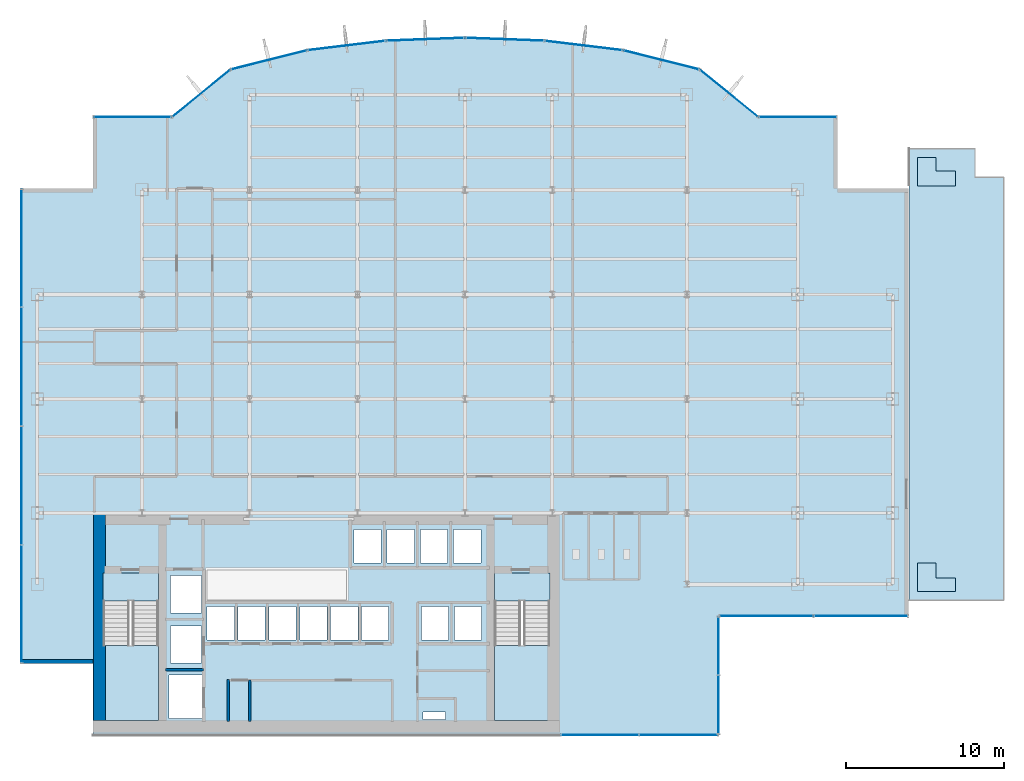
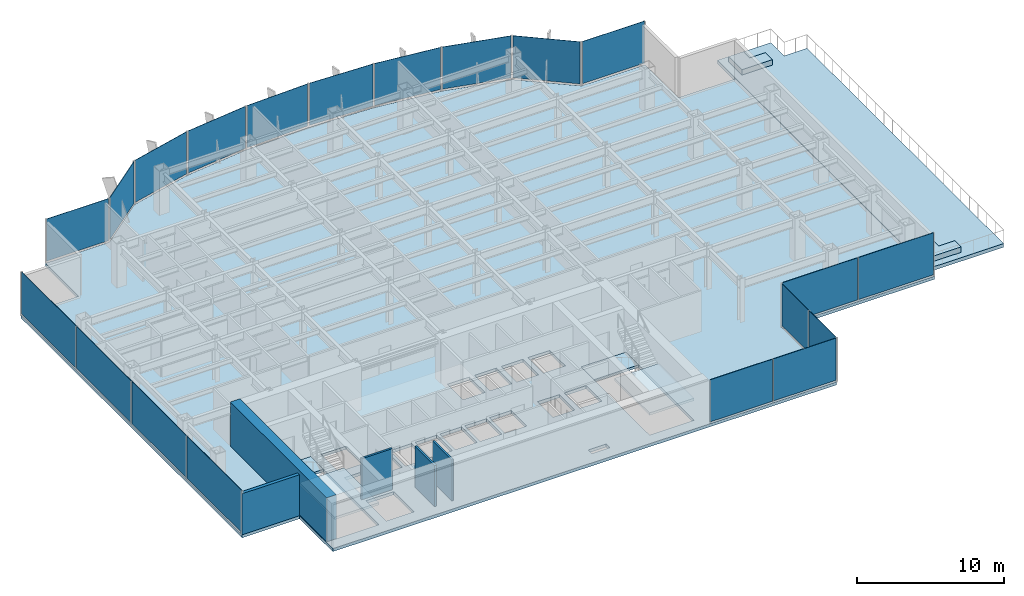
# One storey, part 19 of 25: 20 plates, 8 slabs, 5 walls, 16 elements without a shape of their own.
"""IFC4 building model written with IfcOpenShell, lengths in metres."""

from ifc_helpers import new_model, si_unit, derived_unit, direction, frame, frame_2d, origin, origin_2d, place, context, subcontext, project, spatial, polyline, rectangle, outline, extrude, source, transform, mapped, material, layer, layer_set, type_object, element, aggregate, save


model = new_model("IFC4")

# Units and contexts
model_context = context("Model", 3, precision=1e-05, world=origin(), true_north=direction((0.0, 1.0)))
body_context = subcontext(model_context, "Body", "Model", "MODEL_VIEW")
ifc_project = project(units=[si_unit("LENGTHUNIT", "METRE"), si_unit("AREAUNIT", "SQUARE_METRE"), si_unit("VOLUMEUNIT", "CUBIC_METRE"), si_unit("PLANEANGLEUNIT", "RADIAN"), si_unit("MASSUNIT", "GRAM", prefix="KILO"), derived_unit("THERMALTRANSMITTANCEUNIT", [(si_unit("POWERUNIT", "WATT"), 1), (si_unit("LENGTHUNIT", "METRE"), -2), (si_unit("THERMODYNAMICTEMPERATUREUNIT", "KELVIN"), -1)])], contexts=[model_context])

# Site, building, storey
site_placement = place(None, origin())
site = spatial("IfcSite", under=ifc_project, at=site_placement, CompositionType="ELEMENT")
building_placement = place(site_placement, origin())
building = spatial("IfcBuilding", under=site, at=building_placement, Name="Skarnbrae Concourse Arena and Tower", CompositionType="ELEMENT")
storey_placement = place(building_placement, frame((0.0, 0.0, 88.64990234375)))
storey = spatial("IfcBuildingStorey", under=building, at=storey_placement, Name="L21", CompositionType="ELEMENT", Elevation=88.64990234375)

# Stair, slab
ifc_material_1 = material(Name="Concrete 40 MPa (C40/50)", Category="concrete")
stair_type = type_object("IfcStairType", Name="STAIR-DOGLEG-1650", PredefinedType="HALF_TURN_STAIR", material=ifc_material_1)
stair_1_placement = place(storey_placement, origin())
stair_1 = element("IfcStair", 1, at=stair_1_placement, inside=storey, type_object=stair_type, Name="L21 Protected Exit Stair ST-1", PredefinedType="HALF_TURN_STAIR")
ifc_layer_1 = layer(ifc_material_1, 0.199951171875)
ifc_layer_set_1 = layer_set([ifc_layer_1], Name="Concrete 40 MPa (C40/50)")
slab_type_1 = type_object("IfcSlabType", Name="SLAB-LANDING-200", PredefinedType="LANDING", material=ifc_layer_set_1)
slab_1_placement = place(storey_placement, frame((0.0, 0.0, 1.625)))
slab_1 = element("IfcSlab", 2, at=slab_1_placement, type_object=slab_type_1, Name="ST-1 landing 1", PredefinedType="LANDING", context=body_context, shape_type="SweptSolid", body=[
    extrude(outline(polyline([(5.14990234375, 5.64990234375), (5.14990234375, 0.89990234375), (8.64990234375, 0.89990234375), (8.64990234375, 5.64990234375), (5.14990234375, 5.64990234375)])), origin(), (0.0, 0.0, 1.0), 0.2001953125),
])
aggregate(stair_1, [slab_1])

stair_2_placement = place(storey_placement, origin())
stair_2 = element("IfcStair", 3, at=stair_2_placement, inside=storey, type_object=stair_type, Name="L21 Protected Exit Stair ST-2", PredefinedType="HALF_TURN_STAIR")
slab_2_placement = place(storey_placement, frame((0.0, 0.0, 1.625)))
slab_2 = element("IfcSlab", 4, at=slab_2_placement, type_object=slab_type_1, Name="ST-2 landing 1", PredefinedType="LANDING", context=body_context, shape_type="SweptSolid", body=[
    extrude(outline(polyline([(29.85009765625, 5.64990234375), (29.85009765625, 0.89990234375), (33.35009765625, 0.89990234375), (33.35009765625, 5.64990234375), (29.85009765625, 5.64990234375)])), origin(), (0.0, 0.0, 1.0), 0.2001953125),
])
aggregate(stair_2, [slab_2])

# Slabs
slab_3_placement = place(storey_placement, frame((0.0, 0.0, -0.199951171875)))
element("IfcSlab", 5, at=slab_3_placement, inside=storey, type_object=slab_type_1, Name="L21 Core stair ST1 floor landing", PredefinedType="LANDING", context=body_context, shape_type="SweptSolid", body=[
    extrude(outline(polyline([(5.14990234375, 10.199951171875), (5.14990234375, 8.449951171875), (8.64990234375, 8.449951171875), (8.64990234375, 10.199951171875), (5.14990234375, 10.199951171875)])), origin(), (0.0, 0.0, 1.0), 0.199951171875),
])
slab_4_placement = place(storey_placement, frame((0.0, 0.0, -0.199951171875)))
element("IfcSlab", 6, at=slab_4_placement, inside=storey, type_object=slab_type_1, Name="L21 Core stair ST2 floor landing", PredefinedType="LANDING", context=body_context, shape_type="SweptSolid", body=[
    extrude(outline(polyline([(29.85009765625, 10.199951171875), (29.85009765625, 8.449951171875), (33.35009765625, 8.449951171875), (33.35009765625, 10.199951171875), (29.85009765625, 10.199951171875)])), origin(), (0.0, 0.0, 1.0), 0.199951171875),
])
ifc_layer_2 = layer(ifc_material_1, 0.449951171875)
ifc_layer_set_2 = layer_set([ifc_layer_2], Name="Concrete 40 MPa (C40/50)")
slab_type_2 = type_object("IfcSlabType", Name="SLAB-PLANTER-450", PredefinedType="USERDEFINED", material=ifc_layer_set_2)
slab_5_placement = place(storey_placement, origin())
element("IfcSlab", 7, at=slab_5_placement, inside=storey, type_object=slab_type_2, Name="L21 Setback terrace L-shaped planter bed 01", ObjectType="PLANTER", PredefinedType="USERDEFINED", context=body_context, shape_type="SweptSolid", body=[
    extrude(outline(polyline([(56.570068359375, 9.050048828125), (58.969970703125, 9.050048828125), (58.969970703125, 9.89990234375), (57.719970703125, 9.89990234375), (57.719970703125, 10.85009765625), (56.570068359375, 10.85009765625), (56.570068359375, 9.050048828125)])), origin(), (0.0, 0.0, 1.0), 0.4501953125),
])
slab_6_placement = place(storey_placement, origin())
element("IfcSlab", 8, at=slab_6_placement, inside=storey, type_object=slab_type_2, Name="L21 Setback terrace L-shaped planter bed 02", ObjectType="PLANTER", PredefinedType="USERDEFINED", context=body_context, shape_type="SweptSolid", body=[
    extrude(outline(polyline([(56.570068359375, 34.64990234375), (58.969970703125, 34.64990234375), (58.969970703125, 35.60009765625), (57.719970703125, 35.60009765625), (57.719970703125, 36.449951171875), (56.570068359375, 36.449951171875), (56.570068359375, 34.64990234375)])), origin(), (0.0, 0.0, 1.0), 0.4501953125),
])
ifc_layer_3 = layer(ifc_material_1, 0.300048828125)
ifc_layer_set_3 = layer_set([ifc_layer_3], Name="Concrete 40 MPa (C40/50)")
slab_type_3 = type_object("IfcSlabType", Name="SLAB-TERRACE-300", PredefinedType="FLOOR", material=ifc_layer_set_3)
slab_7_placement = place(storey_placement, frame((0.0, 0.0, -0.2998046875)))
element("IfcSlab", 9, at=slab_7_placement, inside=storey, type_object=slab_type_3, Name="L21 Outdoor asymmetric setback terrace slab", PredefinedType="FLOOR", context=body_context, shape_type="SweptSolid", body=[
    extrude(outline(polyline([(56.02001953125, 8.5), (62.0, 8.5), (62.0, 35.199951171875), (60.199951171875, 35.199951171875), (60.199951171875, 37.0), (56.02001953125, 37.0), (56.02001953125, 8.5)])), origin(), (0.0, 0.0, 1.0), 0.2998046875),
])
ifc_layer_4 = layer(ifc_material_1, 0.25)
ifc_layer_set_4 = layer_set([ifc_layer_4], Name="Concrete 40 MPa (C40/50)")
slab_type_4 = type_object("IfcSlabType", Name="SLAB-TOWER-250", PredefinedType="FLOOR", material=ifc_layer_set_4)
slab_8_placement = place(storey_placement, frame((0.0, 0.0, -0.25)))
element("IfcSlab", 10, at=slab_8_placement, inside=storey, type_object=slab_type_4, Name="L21 Structural floor slab", PredefinedType="FLOOR", context=body_context, shape_type="SweptSolid", body=[
    extrude(outline(polyline([(4.5, 0.0), (44.0, 0.0), (44.0, 7.5), (56.0, 7.5), (56.0, 34.5), (51.5, 34.5), (51.5, 39.0), (46.5, 39.0), (42.81103515625, 41.99609375), (37.964111328125, 43.212890625), (32.998779296875, 43.81396484375), (28.0, 44.0), (23.001220703125, 43.81396484375), (18.035888671875, 43.212890625), (13.18896484375, 41.99609375), (9.5, 39.0), (4.5, 39.0), (4.5, 34.5), (0.0, 34.5), (0.0, 4.5), (4.5, 4.5), (4.5, 0.0)]), holes=[polyline([(9.294921875, 3.780029296875), (11.455078125, 3.780029296875), (11.455078125, 1.02001953125), (9.294921875, 1.02001953125), (9.294921875, 3.780029296875)]), polyline([(8.64990234375, 10.199951171875), (8.64990234375, 0.89990234375), (5.14990234375, 0.89990234375), (5.14990234375, 10.199951171875), (8.64990234375, 10.199951171875)]), polyline([(9.39501953125, 6.8798828125), (11.35498046875, 6.8798828125), (11.35498046875, 4.52001953125), (9.39501953125, 4.52001953125), (9.39501953125, 6.8798828125)]), polyline([(11.719970703125, 8.10498046875), (13.429931640625, 8.10498046875), (13.429931640625, 5.9951171875), (11.719970703125, 5.9951171875), (11.719970703125, 8.10498046875)]), polyline([(13.669921875, 8.10498046875), (15.3798828125, 8.10498046875), (15.3798828125, 5.9951171875), (13.669921875, 5.9951171875), (13.669921875, 8.10498046875)]), polyline([(15.6201171875, 8.10498046875), (17.330078125, 8.10498046875), (17.330078125, 5.9951171875), (15.6201171875, 5.9951171875), (15.6201171875, 8.10498046875)]), polyline([(17.570068359375, 8.10498046875), (19.280029296875, 8.10498046875), (19.280029296875, 5.9951171875), (17.570068359375, 5.9951171875), (17.570068359375, 8.10498046875)]), polyline([(21.22998046875, 8.10498046875), (21.22998046875, 5.9951171875), (19.52001953125, 5.9951171875), (19.52001953125, 8.10498046875), (21.22998046875, 8.10498046875)]), polyline([(11.35498046875, 10.054931640625), (11.35498046875, 7.695068359375), (9.39501953125, 7.695068359375), (9.39501953125, 10.054931640625), (11.35498046875, 10.054931640625)]), polyline([(25.35009765625, 1.449951171875), (26.760009765625, 1.449951171875), (26.760009765625, 0.949951171875), (25.35009765625, 0.949951171875), (25.35009765625, 1.449951171875)]), polyline([(33.35009765625, 10.199951171875), (33.35009765625, 0.89990234375), (29.85009765625, 0.89990234375), (29.85009765625, 10.199951171875), (33.35009765625, 10.199951171875)]), polyline([(21.469970703125, 8.10498046875), (23.179931640625, 8.10498046875), (23.179931640625, 5.9951171875), (21.469970703125, 5.9951171875), (21.469970703125, 8.10498046875)]), polyline([(25.235107421875, 8.10498046875), (26.945068359375, 8.10498046875), (26.945068359375, 5.9951171875), (25.235107421875, 5.9951171875), (25.235107421875, 8.10498046875)]), polyline([(27.3349609375, 8.10498046875), (29.044921875, 8.10498046875), (29.044921875, 5.9951171875), (27.3349609375, 5.9951171875), (27.3349609375, 8.10498046875)]), polyline([(20.985107421875, 12.955078125), (22.695068359375, 12.955078125), (22.695068359375, 10.844970703125), (20.985107421875, 10.844970703125), (20.985107421875, 12.955078125)]), polyline([(23.0849609375, 12.955078125), (24.794921875, 12.955078125), (24.794921875, 10.844970703125), (23.0849609375, 10.844970703125), (23.0849609375, 12.955078125)]), polyline([(26.89501953125, 12.955078125), (26.89501953125, 10.844970703125), (25.18505859375, 10.844970703125), (25.18505859375, 12.955078125), (26.89501953125, 12.955078125)]), polyline([(28.9951171875, 12.955078125), (28.9951171875, 10.844970703125), (27.284912109375, 10.844970703125), (27.284912109375, 12.955078125), (28.9951171875, 12.955078125)])]), origin(), (0.0, 0.0, 1.0), 0.25),
])

# Curtain wall, plates
ifc_material_2 = material(Name="Bronze anodised aluminium 6063-T6", Category="aluminium")
curtain_wall_type = type_object("IfcCurtainWallType", Name="CW-SYS-04-MIDZONE", PredefinedType="USERDEFINED", material=ifc_material_2)
curtain_wall_1_placement = place(storey_placement, origin())
curtain_wall_1 = element("IfcCurtainWall", 11, at=curtain_wall_1_placement, inside=storey, type_object=curtain_wall_type, Name="L21 Unitised curtain wall CW-L21-SE-SPINE", ObjectType="UNITISED CURTAIN WALL", PredefinedType="USERDEFINED")
ifc_material_3 = material(Name="Low-E triple insulating glass", Category="glass")
ifc_layer_5 = layer(ifc_material_3, 0.031982421875)
ifc_layer_set_5 = layer_set([ifc_layer_5], Name="Low-E triple insulating glass")
plate_type = type_object("IfcPlateType", Name="CWP-CW-04", PredefinedType="CURTAIN_PANEL", material=ifc_layer_set_5)
shared_shape_1 = source(origin(), body_context, "Body", "SweptSolid", [
    extrude(rectangle(XDim=4.887451171875, YDim=0.031982421875, at=origin_2d()), origin(), (0.0, 0.0, 1.0), 3.489990234375),
])
plate_1_placement = place(storey_placement, frame((36.518798828125, 0.0, 0.16015625), z_axis=(0.0, 0.0, 1.0), x_axis=(1.0, 0.0, 0.0)))
plate_1 = element("IfcPlate", 12, at=plate_1_placement, type_object=plate_type, Name="CW-L21-SE-SPINE Low-E Glazing Panel 1", PredefinedType="CURTAIN_PANEL", context=body_context, shape_type="MappedRepresentation", body=[
    mapped(shared_shape_1, transform((0.0, 0.0, 0.0))),
])
plate_2_placement = place(storey_placement, frame((41.481201171875, 0.0, 0.16015625), z_axis=(0.0, 0.0, 1.0), x_axis=(1.0, 0.0, 0.0)))
plate_2 = element("IfcPlate", 13, at=plate_2_placement, type_object=plate_type, Name="CW-L21-SE-SPINE Low-E Glazing Panel 2", PredefinedType="CURTAIN_PANEL", context=body_context, shape_type="MappedRepresentation", body=[
    mapped(shared_shape_1, transform((0.0, 0.0, 0.0))),
])
aggregate(curtain_wall_1, [plate_1, plate_2])

curtain_wall_2_placement = place(storey_placement, origin())
curtain_wall_2 = element("IfcCurtainWall", 14, at=curtain_wall_2_placement, inside=storey, type_object=curtain_wall_type, Name="L21 Unitised curtain wall CW-L21-E02", ObjectType="UNITISED CURTAIN WALL", PredefinedType="USERDEFINED")
shared_shape_2 = source(origin(), body_context, "Body", "SweptSolid", [
    extrude(rectangle(XDim=3.637451171875, YDim=0.031982421875, at=origin_2d()), origin(), (0.0, 0.0, 1.0), 3.489990234375),
])
plate_3_placement = place(storey_placement, frame((44.0, 1.893798828125, 0.16015625), z_axis=(0.0, 0.0, 1.0), x_axis=(0.0, 1.0, 0.0)))
plate_3 = element("IfcPlate", 15, at=plate_3_placement, type_object=plate_type, Name="CW-L21-E02 Low-E Glazing Panel 1", PredefinedType="CURTAIN_PANEL", context=body_context, shape_type="MappedRepresentation", body=[
    mapped(shared_shape_2, transform((0.0, 0.0, 0.0))),
])
plate_4_placement = place(storey_placement, frame((44.0, 5.606201171875, 0.16015625), z_axis=(0.0, 0.0, 1.0), x_axis=(0.0, 1.0, 0.0)))
plate_4 = element("IfcPlate", 16, at=plate_4_placement, type_object=plate_type, Name="CW-L21-E02 Low-E Glazing Panel 2", PredefinedType="CURTAIN_PANEL", context=body_context, shape_type="MappedRepresentation", body=[
    mapped(shared_shape_2, transform((0.0, 0.0, 0.0))),
])
aggregate(curtain_wall_2, [plate_3, plate_4])

curtain_wall_3_placement = place(storey_placement, origin())
curtain_wall_3 = element("IfcCurtainWall", 17, at=curtain_wall_3_placement, inside=storey, type_object=curtain_wall_type, Name="L21 Unitised curtain wall CW-L21-E03", ObjectType="UNITISED CURTAIN WALL", PredefinedType="USERDEFINED")
shared_shape_3 = source(origin(), body_context, "Body", "SweptSolid", [
    extrude(rectangle(XDim=5.887451171875, YDim=0.031982421875, at=origin_2d()), origin(), (0.0, 0.0, 1.0), 3.489990234375),
])
plate_5_placement = place(storey_placement, frame((47.018798828125, 7.5, 0.16015625), z_axis=(0.0, 0.0, 1.0), x_axis=(1.0, 0.0, 0.0)))
plate_5 = element("IfcPlate", 18, at=plate_5_placement, type_object=plate_type, Name="CW-L21-E03 Low-E Glazing Panel 1", PredefinedType="CURTAIN_PANEL", context=body_context, shape_type="MappedRepresentation", body=[
    mapped(shared_shape_3, transform((0.0, 0.0, 0.0))),
])
plate_6_placement = place(storey_placement, frame((52.981201171875, 7.5, 0.16015625), z_axis=(0.0, 0.0, 1.0), x_axis=(1.0, 0.0, 0.0)))
plate_6 = element("IfcPlate", 19, at=plate_6_placement, type_object=plate_type, Name="CW-L21-E03 Low-E Glazing Panel 2", PredefinedType="CURTAIN_PANEL", context=body_context, shape_type="MappedRepresentation", body=[
    mapped(shared_shape_3, transform((0.0, 0.0, 0.0))),
])
aggregate(curtain_wall_3, [plate_5, plate_6])

# Curtain wall, plate
curtain_wall_4_placement = place(storey_placement, origin())
curtain_wall_4 = element("IfcCurtainWall", 20, at=curtain_wall_4_placement, inside=storey, type_object=curtain_wall_type, Name="L21 Unitised curtain wall CW-L21-E07", ObjectType="UNITISED CURTAIN WALL", PredefinedType="USERDEFINED")
shared_shape_4 = source(origin(), body_context, "Body", "SweptSolid", [
    extrude(rectangle(XDim=4.85009765625, YDim=0.031982421875, at=origin_2d()), origin(), (0.0, 0.0, 1.0), 3.489990234375),
])
plate_7_placement = place(storey_placement, frame((49.0, 39.0, 0.16015625), z_axis=(0.0, 0.0, 1.0), x_axis=(-1.0, 0.0, 0.0)))
plate_7 = element("IfcPlate", 21, at=plate_7_placement, type_object=plate_type, Name="CW-L21-E07 Low-E Glazing Panel 1", PredefinedType="CURTAIN_PANEL", context=body_context, shape_type="MappedRepresentation", body=[
    mapped(shared_shape_4, transform((0.0, 0.0, 0.0))),
])
aggregate(curtain_wall_4, [plate_7])

curtain_wall_5_placement = place(storey_placement, origin())
curtain_wall_5 = element("IfcCurtainWall", 22, at=curtain_wall_5_placement, inside=storey, type_object=curtain_wall_type, Name="L21 Unitised curtain wall CW-L21-E16", ObjectType="UNITISED CURTAIN WALL", PredefinedType="USERDEFINED")
plate_8_placement = place(storey_placement, frame((7.0, 39.0, 0.16015625), z_axis=(0.0, 0.0, 1.0), x_axis=(-1.0, 0.0, 0.0)))
plate_8 = element("IfcPlate", 23, at=plate_8_placement, type_object=plate_type, Name="CW-L21-E16 Low-E Glazing Panel 1", PredefinedType="CURTAIN_PANEL", context=body_context, shape_type="MappedRepresentation", body=[
    mapped(shared_shape_4, transform((0.0, 0.0, 0.0))),
])
aggregate(curtain_wall_5, [plate_8])

curtain_wall_6_placement = place(storey_placement, origin())
curtain_wall_6 = element("IfcCurtainWall", 24, at=curtain_wall_6_placement, inside=storey, type_object=curtain_wall_type, Name="L21 Unitised curtain wall CW-L21-E08", ObjectType="UNITISED CURTAIN WALL", PredefinedType="USERDEFINED")
shared_shape_5 = source(origin(), body_context, "Body", "SweptSolid", [
    extrude(rectangle(XDim=4.602294921875, YDim=0.031982421875, at=origin_2d()), origin(), (0.0, 0.0, 1.0), 3.489990234375),
])
plate_9_placement = place(storey_placement, frame((44.655517578125, 40.498046875, 0.16015625), z_axis=(0.0, 0.0, 1.0), x_axis=(-0.776241200471, 0.630436038542, 0.0)))
plate_9 = element("IfcPlate", 25, at=plate_9_placement, type_object=plate_type, Name="CW-L21-E08 Low-E Glazing Panel 1", PredefinedType="CURTAIN_PANEL", context=body_context, shape_type="MappedRepresentation", body=[
    mapped(shared_shape_5, transform((0.0, 0.0, 0.0))),
])
aggregate(curtain_wall_6, [plate_9])

curtain_wall_7_placement = place(storey_placement, origin())
curtain_wall_7 = element("IfcCurtainWall", 26, at=curtain_wall_7_placement, inside=storey, type_object=curtain_wall_type, Name="L21 Unitised curtain wall CW-L21-E15", ObjectType="UNITISED CURTAIN WALL", PredefinedType="USERDEFINED")
plate_10_placement = place(storey_placement, frame((11.344482421875, 40.498046875, 0.16015625), z_axis=(0.0, 0.0, 1.0), x_axis=(-0.776241200471, -0.630436038542, 0.0)))
plate_10 = element("IfcPlate", 27, at=plate_10_placement, type_object=plate_type, Name="CW-L21-E15 Low-E Glazing Panel 1", PredefinedType="CURTAIN_PANEL", context=body_context, shape_type="MappedRepresentation", body=[
    mapped(shared_shape_5, transform((0.0, 0.0, 0.0))),
])
aggregate(curtain_wall_7, [plate_10])

curtain_wall_8_placement = place(storey_placement, origin())
curtain_wall_8 = element("IfcCurtainWall", 28, at=curtain_wall_8_placement, inside=storey, type_object=curtain_wall_type, Name="L21 Unitised curtain wall CW-L21-E09", ObjectType="UNITISED CURTAIN WALL", PredefinedType="USERDEFINED")
shared_shape_6 = source(origin(), body_context, "Body", "SweptSolid", [
    extrude(rectangle(XDim=4.847412109375, YDim=0.031982421875, at=origin_2d()), origin(), (0.0, 0.0, 1.0), 3.489990234375),
])
plate_11_placement = place(storey_placement, frame((40.3876953125, 42.6044921875, 0.16015625), z_axis=(0.0, 0.0, 1.0), x_axis=(-0.969903046166, 0.243491439351, 0.0)))
plate_11 = element("IfcPlate", 29, at=plate_11_placement, type_object=plate_type, Name="CW-L21-E09 Low-E Glazing Panel 1", PredefinedType="CURTAIN_PANEL", context=body_context, shape_type="MappedRepresentation", body=[
    mapped(shared_shape_6, transform((0.0, 0.0, 0.0))),
])
aggregate(curtain_wall_8, [plate_11])

curtain_wall_9_placement = place(storey_placement, origin())
curtain_wall_9 = element("IfcCurtainWall", 30, at=curtain_wall_9_placement, inside=storey, type_object=curtain_wall_type, Name="L21 Unitised curtain wall CW-L21-E14", ObjectType="UNITISED CURTAIN WALL", PredefinedType="USERDEFINED")
plate_12_placement = place(storey_placement, frame((15.6123046875, 42.6044921875, 0.16015625), z_axis=(0.0, 0.0, 1.0), x_axis=(-0.969903046166, -0.243491439351, 0.0)))
plate_12 = element("IfcPlate", 31, at=plate_12_placement, type_object=plate_type, Name="CW-L21-E14 Low-E Glazing Panel 1", PredefinedType="CURTAIN_PANEL", context=body_context, shape_type="MappedRepresentation", body=[
    mapped(shared_shape_6, transform((0.0, 0.0, 0.0))),
])
aggregate(curtain_wall_9, [plate_12])

curtain_wall_10_placement = place(storey_placement, origin())
curtain_wall_10 = element("IfcCurtainWall", 32, at=curtain_wall_10_placement, inside=storey, type_object=curtain_wall_type, Name="L21 Unitised curtain wall CW-L21-E10", ObjectType="UNITISED CURTAIN WALL", PredefinedType="USERDEFINED")
shared_shape_7 = source(origin(), body_context, "Body", "SweptSolid", [
    extrude(rectangle(XDim=4.8515625, YDim=0.031982421875, at=origin_2d()), origin(), (0.0, 0.0, 1.0), 3.489990234375),
])
plate_13_placement = place(storey_placement, frame((35.4814453125, 43.513427734375, 0.16015625), z_axis=(0.0, 0.0, 1.0), x_axis=(-0.992749371969, 0.120202680731, 0.0)))
plate_13 = element("IfcPlate", 33, at=plate_13_placement, type_object=plate_type, Name="CW-L21-E10 Low-E Glazing Panel 1", PredefinedType="CURTAIN_PANEL", context=body_context, shape_type="MappedRepresentation", body=[
    mapped(shared_shape_7, transform((0.0, 0.0, 0.0))),
])
aggregate(curtain_wall_10, [plate_13])

curtain_wall_11_placement = place(storey_placement, origin())
curtain_wall_11 = element("IfcCurtainWall", 34, at=curtain_wall_11_placement, inside=storey, type_object=curtain_wall_type, Name="L21 Unitised curtain wall CW-L21-E13", ObjectType="UNITISED CURTAIN WALL", PredefinedType="USERDEFINED")
plate_14_placement = place(storey_placement, frame((20.5185546875, 43.513427734375, 0.16015625), z_axis=(0.0, 0.0, 1.0), x_axis=(-0.992749371969, -0.120202680731, 0.0)))
plate_14 = element("IfcPlate", 35, at=plate_14_placement, type_object=plate_type, Name="CW-L21-E13 Low-E Glazing Panel 1", PredefinedType="CURTAIN_PANEL", context=body_context, shape_type="MappedRepresentation", body=[
    mapped(shared_shape_7, transform((0.0, 0.0, 0.0))),
])
aggregate(curtain_wall_11, [plate_14])

curtain_wall_12_placement = place(storey_placement, origin())
curtain_wall_12 = element("IfcCurtainWall", 36, at=curtain_wall_12_placement, inside=storey, type_object=curtain_wall_type, Name="L21 Unitised curtain wall CW-L21-E11", ObjectType="UNITISED CURTAIN WALL", PredefinedType="USERDEFINED")
shared_shape_8 = source(origin(), body_context, "Body", "SweptSolid", [
    extrude(rectangle(XDim=4.852294921875, YDim=0.031982421875, at=origin_2d()), origin(), (0.0, 0.0, 1.0), 3.489990234375),
])
plate_15_placement = place(storey_placement, frame((30.49951171875, 43.906982421875, 0.16015625), z_axis=(0.0, 0.0, 1.0), x_axis=(-0.999308486252, 0.037182647889, 0.0)))
plate_15 = element("IfcPlate", 37, at=plate_15_placement, type_object=plate_type, Name="CW-L21-E11 Low-E Glazing Panel 1", PredefinedType="CURTAIN_PANEL", context=body_context, shape_type="MappedRepresentation", body=[
    mapped(shared_shape_8, transform((0.0, 0.0, 0.0))),
])
aggregate(curtain_wall_12, [plate_15])

curtain_wall_13_placement = place(storey_placement, origin())
curtain_wall_13 = element("IfcCurtainWall", 38, at=curtain_wall_13_placement, inside=storey, type_object=curtain_wall_type, Name="L21 Unitised curtain wall CW-L21-E12", ObjectType="UNITISED CURTAIN WALL", PredefinedType="USERDEFINED")
plate_16_placement = place(storey_placement, frame((25.50048828125, 43.906982421875, 0.16015625), z_axis=(0.0, 0.0, 1.0), x_axis=(-0.999308486252, -0.037182647889, 0.0)))
plate_16 = element("IfcPlate", 39, at=plate_16_placement, type_object=plate_type, Name="CW-L21-E12 Low-E Glazing Panel 1", PredefinedType="CURTAIN_PANEL", context=body_context, shape_type="MappedRepresentation", body=[
    mapped(shared_shape_8, transform((0.0, 0.0, 0.0))),
])
aggregate(curtain_wall_13, [plate_16])

# Curtain wall, plates
curtain_wall_14_placement = place(storey_placement, origin())
curtain_wall_14 = element("IfcCurtainWall", 40, at=curtain_wall_14_placement, inside=storey, type_object=curtain_wall_type, Name="L21 Unitised curtain wall CW-L21-E19", ObjectType="UNITISED CURTAIN WALL", PredefinedType="USERDEFINED")
shared_shape_9 = source(origin(), body_context, "Body", "SweptSolid", [
    extrude(rectangle(XDim=7.387451171875, YDim=0.031982421875, at=origin_2d()), origin(), (0.0, 0.0, 1.0), 3.489990234375),
])
plate_17_placement = place(storey_placement, frame((0.0, 30.731201171875, 0.16015625), z_axis=(0.0, 0.0, 1.0), x_axis=(0.0, -1.0, 0.0)))
plate_17 = element("IfcPlate", 41, at=plate_17_placement, type_object=plate_type, Name="CW-L21-E19 Low-E Glazing Panel 1", PredefinedType="CURTAIN_PANEL", context=body_context, shape_type="MappedRepresentation", body=[
    mapped(shared_shape_9, transform((0.0, 0.0, 0.0))),
])
plate_18_placement = place(storey_placement, frame((0.0, 8.268798828125, 0.16015625), z_axis=(0.0, 0.0, 1.0), x_axis=(0.0, -1.0, 0.0)))
plate_18 = element("IfcPlate", 42, at=plate_18_placement, type_object=plate_type, Name="CW-L21-E19 Low-E Glazing Panel 4", PredefinedType="CURTAIN_PANEL", context=body_context, shape_type="MappedRepresentation", body=[
    mapped(shared_shape_9, transform((0.0, 0.0, 0.0))),
])
shared_shape_10 = source(origin(), body_context, "Body", "SweptSolid", [
    extrude(rectangle(XDim=7.425048828125, YDim=0.031982421875, at=origin_2d()), origin(), (0.0, 0.0, 1.0), 3.489990234375),
])
plate_19_placement = place(storey_placement, frame((0.0, 23.25, 0.16015625), z_axis=(0.0, 0.0, 1.0), x_axis=(0.0, -1.0, 0.0)))
plate_19 = element("IfcPlate", 43, at=plate_19_placement, type_object=plate_type, Name="CW-L21-E19 Low-E Glazing Panel 2", PredefinedType="CURTAIN_PANEL", context=body_context, shape_type="MappedRepresentation", body=[
    mapped(shared_shape_10, transform((0.0, 0.0, 0.0))),
])
plate_20_placement = place(storey_placement, frame((0.0, 15.75, 0.16015625), z_axis=(0.0, 0.0, 1.0), x_axis=(0.0, -1.0, 0.0)))
plate_20 = element("IfcPlate", 44, at=plate_20_placement, type_object=plate_type, Name="CW-L21-E19 Low-E Glazing Panel 3", PredefinedType="CURTAIN_PANEL", context=body_context, shape_type="MappedRepresentation", body=[
    mapped(shared_shape_10, transform((0.0, 0.0, 0.0))),
])
aggregate(curtain_wall_14, [plate_17, plate_19, plate_20, plate_18])

# Walls
ifc_material_4 = material(Name="Concrete 60 MPa (C60/75)", Category="concrete")
ifc_layer_6 = layer(ifc_material_4, 0.75)
ifc_layer_set_6 = layer_set([ifc_layer_6], Name="Concrete 60 MPa (C60/75)")
wall_type_1 = type_object("IfcWallType", Name="WALL-CORE-750-C60", PredefinedType="SHEAR", material=ifc_layer_set_6)
shared_shape_11 = source(origin(), body_context, "Body", "SweptSolid", [
    extrude(rectangle(XDim=13.10009765625, YDim=0.75, at=frame_2d((6.550048828125, 0.0))), origin(), (0.0, 0.0, 1.0), 3.650146484375),
])
wall_1_placement = place(storey_placement, frame((4.925048828125, 0.89990234375, 0.0), z_axis=(0.0, 0.0, 1.0), x_axis=(0.0, 1.0, 0.0)))
element("IfcWall", 45, at=wall_1_placement, inside=storey, type_object=wall_type_1, Name="L21 Rear core shear wall CW-W", PredefinedType="SHEAR", context=body_context, shape_type="MappedRepresentation", body=[
    mapped(shared_shape_11, transform((0.0, 0.0, 0.0))),
])
ifc_material_5 = material(Name="Precast concrete 40 MPa (C40/50)", Category="concrete")
ifc_layer_7 = layer(ifc_material_5, 0.25)
ifc_layer_set_7 = layer_set([ifc_layer_7], Name="Precast concrete 40 MPa (C40/50)")
wall_type_2 = type_object("IfcWallType", Name="WALL-EXT-SPANDREL-250", PredefinedType="STANDARD", material=ifc_layer_set_7)
shared_shape_12 = source(origin(), body_context, "Body", "SweptSolid", [
    extrude(rectangle(XDim=4.5, YDim=0.25, at=frame_2d((2.25, 0.0))), origin(), (0.0, 0.0, 1.0), 3.400146484375),
])
wall_2_placement = place(storey_placement, frame((0.0, 4.625, 0.0), z_axis=(0.0, 0.0, 1.0), x_axis=(1.0, 0.0, 0.0)))
element("IfcWall", 46, at=wall_2_placement, inside=storey, type_object=wall_type_2, Name="L21 Notched corner insulated return wall 20", PredefinedType="STANDARD", context=body_context, shape_type="MappedRepresentation", body=[
    mapped(shared_shape_12, transform((0.0, 0.0, 0.0))),
])
ifc_material_6 = material(Name="Gypsum board on cold-formed steel studs", Category="steel")
ifc_layer_8 = layer(ifc_material_6, 0.14990234375)
ifc_layer_set_8 = layer_set([ifc_layer_8], Name="Gypsum board on cold-formed steel studs")
wall_type_3 = type_object("IfcWallType", Name="WALL-PART-150", PredefinedType="PARTITIONING", material=ifc_layer_set_8)
shared_shape_13 = source(origin(), body_context, "Body", "SweptSolid", [
    extrude(rectangle(XDim=2.39990234375, YDim=0.14990234375, at=frame_2d((1.199951171875, 0.0))), origin(), (0.0, 0.0, 1.0), 3.400146484375),
])
wall_3_placement = place(storey_placement, frame((9.10009765625, 4.10009765625, 0.0), z_axis=(0.0, 0.0, 1.0), x_axis=(1.0, 0.0, 0.0)))
element("IfcWall", 47, at=wall_3_placement, inside=storey, type_object=wall_type_3, Name="L21 Interior partition wall W-L21-FL-D1", PredefinedType="PARTITIONING", context=body_context, shape_type="MappedRepresentation", body=[
    mapped(shared_shape_13, transform((0.0, 0.0, 0.0))),
])
shared_shape_14 = source(origin(), body_context, "Body", "SweptSolid", [
    extrude(rectangle(XDim=2.599853515625, YDim=0.14990234375, at=frame_2d((1.2998046875, 0.0))), origin(), (0.0, 0.0, 1.0), 3.400146484375),
])
wall_4_placement = place(storey_placement, frame((14.39990234375, 0.85009765625, 0.0), z_axis=(0.0, 0.0, 1.0), x_axis=(0.0, 1.0, 0.0)))
element("IfcWall", 48, at=wall_4_placement, inside=storey, type_object=wall_type_3, Name="L21 Interior partition wall W-L21-B1M-C1", PredefinedType="PARTITIONING", context=body_context, shape_type="MappedRepresentation", body=[
    mapped(shared_shape_14, transform((0.0, 0.0, 0.0))),
])
ifc_layer_9 = layer(ifc_material_6, 0.14990234375)
ifc_layer_set_9 = layer_set([ifc_layer_9], Name="Gypsum board on cold-formed steel studs")
wall_type_4 = type_object("IfcWallType", Name="WALL-PART-150-1HR", PredefinedType="PARTITIONING", material=ifc_layer_set_9)
shared_shape_15 = source(origin(), body_context, "Body", "SweptSolid", [
    extrude(rectangle(XDim=2.64990234375, YDim=0.14990234375, at=frame_2d((1.324951171875, 0.0))), origin(), (0.0, 0.0, 1.0), 3.400146484375),
])
wall_5_placement = place(storey_placement, frame((13.050048828125, 0.85009765625, 0.0), z_axis=(0.0, 0.0, 1.0), x_axis=(0.0, 1.0, 0.0)))
element("IfcWall", 49, at=wall_5_placement, inside=storey, type_object=wall_type_4, Name="L21 Interior partition wall W-L21-B1M-W", PredefinedType="PARTITIONING", context=body_context, shape_type="MappedRepresentation", body=[
    mapped(shared_shape_15, transform((0.0, 0.0, 0.0))),
])

save(model, "model.ifc")
